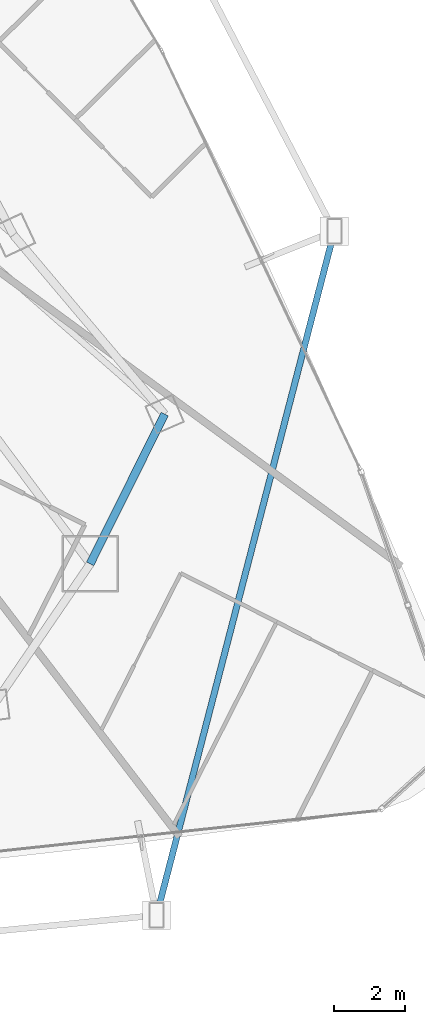
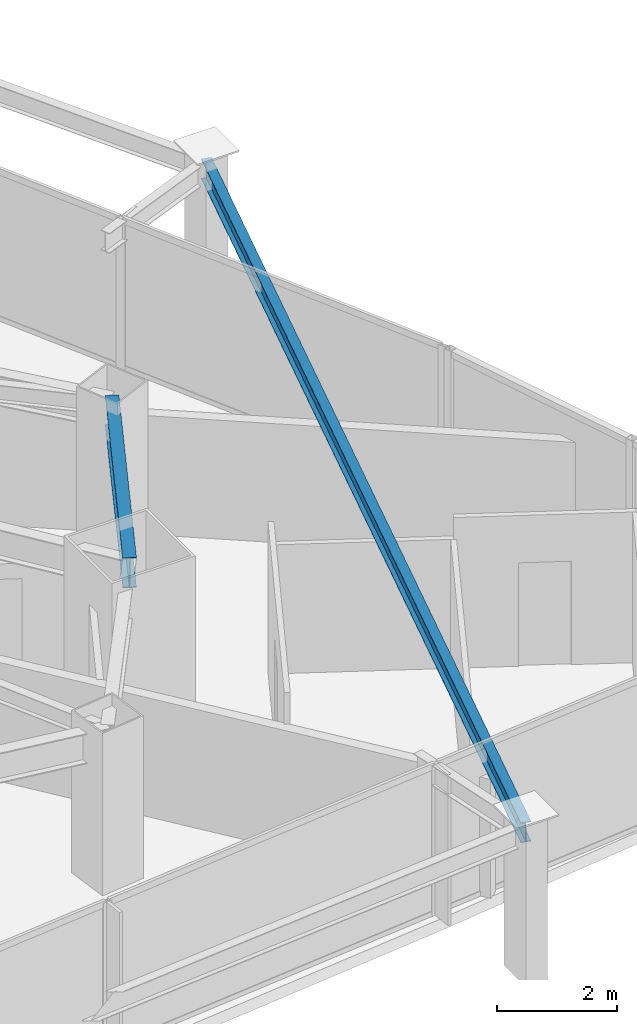
# One storey, part 16 of 35: 2 beams.
"""IFC4 building model written with IfcOpenShell, lengths in metres."""

from ifc_helpers import new_model, si_unit, direction, frame, origin, origin_2d, place, context, subcontext, project, spatial, i_section, extrude, material, material_profile, profile_set, type_object, element, save


model = new_model("IFC4")

# Units and contexts
model_context = context("Model", 3, precision=1e-05, world=origin(), true_north=direction((0.0, 1.0)))
body_context = subcontext(model_context, "Body", "Model", "MODEL_VIEW")
ifc_project = project(units=[si_unit("LENGTHUNIT", "METRE"), si_unit("AREAUNIT", "SQUARE_METRE"), si_unit("VOLUMEUNIT", "CUBIC_METRE"), si_unit("PLANEANGLEUNIT", "RADIAN"), si_unit("MASSUNIT", "GRAM", prefix="KILO")], contexts=[model_context])

# Site, building, storey
site_placement = place(None, origin())
site = spatial("IfcSite", under=ifc_project, at=site_placement, CompositionType="ELEMENT")
building_placement = place(site_placement, origin())
building = spatial("IfcBuilding", under=site, at=building_placement, Name="Orvanel Arch Residences", CompositionType="ELEMENT")
storey_placement = place(building_placement, frame((0.0, 0.0, 30.199951171875)))
storey = spatial("IfcBuildingStorey", under=building, at=storey_placement, Name="L07", CompositionType="ELEMENT", Elevation=30.199951171875)

# Beams
ifc_material = material(Name="Structural steel AS/NZS 3679.1 Grade 300 (300 MPa)", Category="steel")
ifc_material_profile_1 = material_profile(ifc_material, i_section(OverallWidth=0.177978515625, OverallDepth=0.406005859375, WebThickness=0.0078125, FlangeThickness=0.0126953125, at=origin_2d()), Name="410UB59.7")
ifc_profile_set_1 = profile_set([ifc_material_profile_1], Name="Structural steel AS/NZS 3679.1 Grade 300 (300 MPa)")
beam_type_1 = type_object("IfcBeamType", Name="OB-410UB-EXT", PredefinedType="SPANDREL", material=ifc_profile_set_1)
beam_1_placement = place(storey_placement, frame((53.677001953125, 0.416015625, 2.85693359375), z_axis=(0.251495587729, 0.967858444894, 0.0), x_axis=(-0.967858444894, 0.251495587729, 0.0)))
element("IfcBeam", 1, at=beam_1_placement, inside=storey, type_object=beam_type_1, Name="L07 Outer Perimeter Floor Ring Beam 08", PredefinedType="SPANDREL", context=body_context, shape_type="SweptSolid", body=[
    extrude(i_section(OverallWidth=0.177978515625, OverallDepth=0.406005859375, WebThickness=0.0078125, FlangeThickness=0.0126953125, at=origin_2d()), origin(), (0.0, 0.0, 1.0), 19.97998046875),
])
ifc_material_profile_2 = material_profile(ifc_material, i_section(OverallWidth=0.22900390625, OverallDepth=0.612060546875, WebThickness=0.011962890625, FlangeThickness=0.01953125, at=origin_2d()), Name="610UB125")
ifc_profile_set_2 = profile_set([ifc_material_profile_2], Name="Structural steel AS/NZS 3679.1 Grade 300 (300 MPa)")
beam_type_2 = type_object("IfcBeamType", Name="SP-610UB", PredefinedType="SPANDREL", material=ifc_profile_set_2)
beam_2_placement = place(storey_placement, frame((51.801025390625, 10.35107421875, 2.754150390625), z_axis=(0.44543469453, 0.895314432425, 0.0), x_axis=(-0.895314432425, 0.44543469453, 0.0)))
element("IfcBeam", 2, at=beam_2_placement, inside=storey, type_object=beam_type_2, Name="L07 Perimeter Spandrel Beam 11", PredefinedType="SPANDREL", context=body_context, shape_type="SweptSolid", body=[
    extrude(i_section(OverallWidth=0.22900390625, OverallDepth=0.612060546875, WebThickness=0.011962890625, FlangeThickness=0.01953125, at=origin_2d()), origin(), (0.0, 0.0, 1.0), 4.723388671875),
])

save(model, "model.ifc")
